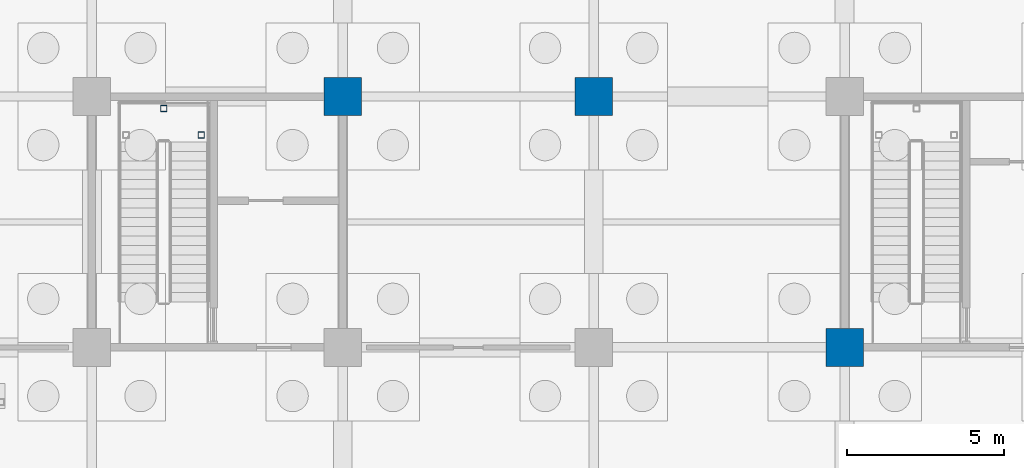
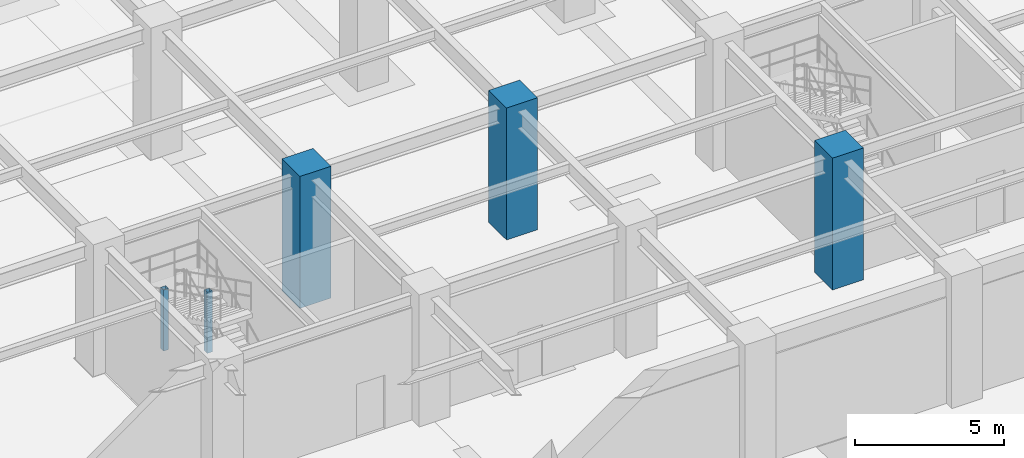
# One storey, part 54 of 97: 5 columns.
"""IFC4 building model written with IfcOpenShell, lengths in metres."""

from ifc_helpers import new_model, si_unit, direction, frame, origin, origin_2d, place, context, subcontext, project, spatial, rectangle, hollow_rectangle, extrude, material, material_profile, profile_set, type_object, element, save


model = new_model("IFC4")

# Units and contexts
model_context = context("Model", 3, precision=1e-05, world=origin(), true_north=direction((0.0, 1.0)))
body_context = subcontext(model_context, "Body", "Model", "MODEL_VIEW")
ifc_project = project(units=[si_unit("LENGTHUNIT", "METRE"), si_unit("AREAUNIT", "SQUARE_METRE"), si_unit("VOLUMEUNIT", "CUBIC_METRE"), si_unit("PLANEANGLEUNIT", "RADIAN"), si_unit("MASSUNIT", "GRAM", prefix="KILO")], contexts=[model_context])

# Site, building, storey
site_placement = place(None, origin())
site = spatial("IfcSite", under=ifc_project, at=site_placement, CompositionType="ELEMENT")
building_placement = place(site_placement, origin())
building = spatial("IfcBuilding", under=site, at=building_placement, Name="Haebicheon Civic Stadium", CompositionType="ELEMENT")
storey_placement = place(building_placement, frame((0.0, 0.0, -5.39990234375)))
storey = spatial("IfcBuildingStorey", under=building, at=storey_placement, Name="B1", CompositionType="ELEMENT", Elevation=-5.39990234375)

# Columns
ifc_material_1 = material(Name="Concrete C40/50", Category="concrete")
ifc_material_profile_1 = material_profile(ifc_material_1, rectangle(XDim=1.199951171875, YDim=1.199951171875, at=origin_2d()), Name="RC-COL-1200x1200")
ifc_profile_set_1 = profile_set([ifc_material_profile_1], Name="Concrete C40/50")
column_type_1 = type_object("IfcColumnType", Name="COL-RC-1200", PredefinedType="COLUMN", material=ifc_profile_set_1)
for number, where, z_axis, x_axis, name in (
    (1, (96.0, 168.0, 0.0), (0.0, 0.0, 1.0), (1.0, 0.0, 0.0), "B1 column 13/X"),
    (2, (104.0, 168.0, 0.0), (0.0, 0.0, 1.0), (1.0, 0.0, 0.0), "B1 column 14/X"),
    (3, (112.0, 160.0, 0.0), (0.0, 0.0, 1.0), (1.0, 0.0, 0.0), "B1 column 15/W"),
):
    element("IfcColumn", number, at=place(storey_placement, frame(where, z_axis=z_axis, x_axis=x_axis)), inside=storey, type_object=column_type_1, material=ifc_profile_set_1, Name=name, PredefinedType="COLUMN", context=body_context, shape_type="SweptSolid", body=[
        extrude(rectangle(XDim=1.199951171875, YDim=1.199951171875, at=origin_2d()), origin(), (0.0, 0.0, 1.0), 5.39990234375),
    ])
ifc_material_2 = material(Name="Steel SM355 (S355)", Category="steel")
ifc_material_profile_2 = material_profile(ifc_material_2, hollow_rectangle(XDim=0.199951171875, YDim=0.199951171875, WallThickness=0.009033203125, at=origin_2d()), Name="RHS-200x200x9.0")
ifc_profile_set_2 = profile_set([ifc_material_profile_2], Name="Steel SM355 (S355)")
column_type_2 = type_object("IfcColumnType", Name="COL-ST-RHS200", PredefinedType="COLUMN", material=ifc_profile_set_2)
for number, where, z_axis, x_axis, name in (
    (4, (91.489990234375, 166.77001953125, 0.0), (0.0, 0.0, 1.0), (1.0, 0.0, 0.0), "KC-08 B1 stair half-landing support post B"),
    (5, (90.2900390625, 167.6201171875, 0.0), (0.0, 0.0, 1.0), (1.0, 0.0, 0.0), "KC-08 B1 stair half-landing support post C"),
):
    element("IfcColumn", number, at=place(storey_placement, frame(where, z_axis=z_axis, x_axis=x_axis)), inside=storey, type_object=column_type_2, material=ifc_profile_set_2, Name=name, PredefinedType="COLUMN", context=body_context, shape_type="SweptSolid", body=[
        extrude(hollow_rectangle(XDim=0.199951171875, YDim=0.199951171875, WallThickness=0.009033203125, at=origin_2d()), origin(), (0.0, 0.0, 1.0), 2.5),
    ])

save(model, "model.ifc")
